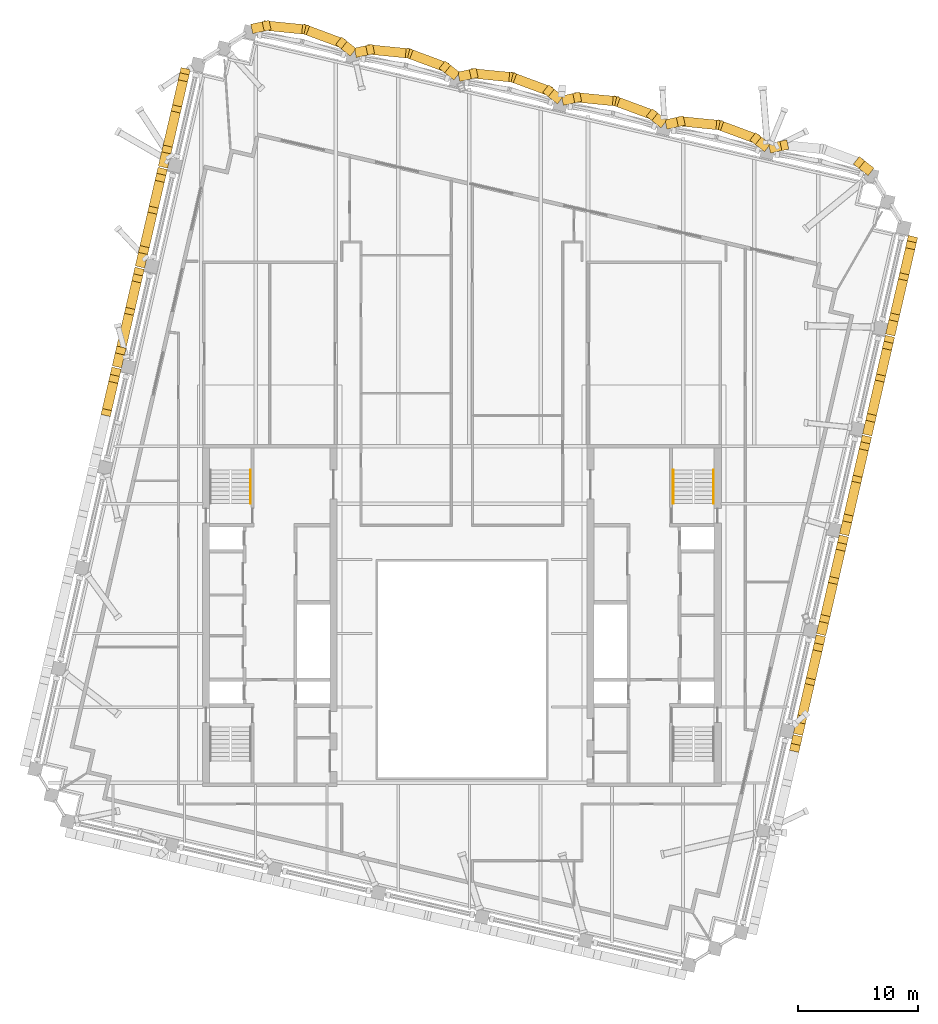
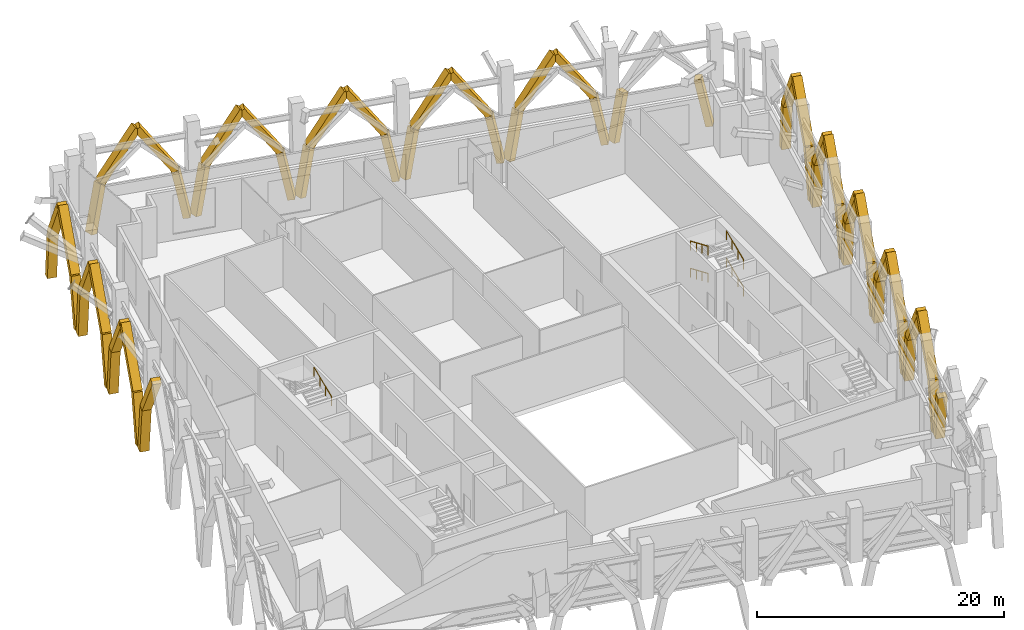
# One storey, part 18 of 19: 57 coverings, 5 railings.
"""IFC4 building model written with IfcOpenShell, lengths in metres."""

from ifc_helpers import new_model, si_unit, direction, frame, origin, origin_2d, place, context, subcontext, project, spatial, rectangle, circle, extrude, material, material_profile, profile_set, type_object, element, save


model = new_model("IFC4")

# Units and contexts
model_context = context("Model", 3, precision=1e-05, world=origin(), true_north=direction((0.0, 1.0)))
body_context = subcontext(model_context, "Body", "Model", "MODEL_VIEW")
ifc_project = project(units=[si_unit("LENGTHUNIT", "METRE"), si_unit("AREAUNIT", "SQUARE_METRE"), si_unit("VOLUMEUNIT", "CUBIC_METRE"), si_unit("PLANEANGLEUNIT", "RADIAN"), si_unit("MASSUNIT", "GRAM", prefix="KILO")], contexts=[model_context])

# Site, building, storey
site_placement = place(None, origin())
site = spatial("IfcSite", under=ifc_project, at=site_placement, CompositionType="ELEMENT")
building_placement = place(site_placement, origin())
building = spatial("IfcBuilding", under=site, at=building_placement, Name="Ogive Exchange Tower", CompositionType="ELEMENT")
storey_placement = place(building_placement, frame((0.0, 0.0, 297.60009765625)))
storey = spatial("IfcBuildingStorey", under=building, at=storey_placement, Name="L65", CompositionType="ELEMENT", Elevation=297.60009765625)

# Coverings
ifc_material_1 = material(Name="Precast concrete C50/60", Category="concrete")
ifc_material_profile = material_profile(ifc_material_1, rectangle(XDim=0.800048828125, YDim=0.60009765625, at=origin_2d()), Name="RIB 800 x 600")
ifc_profile_set = profile_set([ifc_material_profile], Name="Precast concrete C50/60")
covering_type = type_object("IfcCoveringType", Name="Precast tracery rib 800 x 600 C50/60", PredefinedType="CLADDING", material=ifc_profile_set)
covering_1_placement = place(storey_placement, frame((27.902099609375, 1.195068359375, -4.2001953125), z_axis=(-0.036220069626, -0.157271354955, 0.986890990671), x_axis=(0.974490639615, -0.224428147305, 0.0)))
element("IfcCovering", 1, at=covering_1_placement, inside=storey, type_object=covering_type, Name="Tracery rib 10b", PredefinedType="CLADDING", context=body_context, shape_type="SweptSolid", body=[
    extrude(rectangle(XDim=0.800048828125, YDim=0.60009765625, at=origin_2d()), origin(), (0.0, 0.0, 1.0), 4.610595703125),
])
covering_2_placement = place(storey_placement, frame((28.06005859375, 1.876953125, -4.2001953125), z_axis=(0.047260735315, 0.205198664322, 0.977578606076), x_axis=(-0.974487667925, 0.224441050307, 0.0)))
element("IfcCovering", 2, at=covering_2_placement, inside=storey, type_object=covering_type, Name="Tracery rib 11a", PredefinedType="CLADDING", context=body_context, shape_type="SweptSolid", body=[
    extrude(rectangle(XDim=0.800048828125, YDim=0.60009765625, at=origin_2d()), origin(), (0.0, 0.0, 1.0), 4.654296875),
])
covering_3_placement = place(storey_placement, frame((28.280029296875, 2.83203125, 0.349853515625), z_axis=(0.13027307867, 0.564225039855, 0.815278498045), x_axis=(-0.974365725197, 0.224969850336, 0.0)))
element("IfcCovering", 3, at=covering_3_placement, inside=storey, type_object=covering_type, Name="Tracery rib 11a", PredefinedType="CLADDING", context=body_context, shape_type="SweptSolid", body=[
    extrude(rectangle(XDim=0.800048828125, YDim=0.60009765625, at=origin_2d()), origin(), (0.0, 0.0, 1.0), 5.5810546875),
])
covering_4_placement = place(storey_placement, frame((29.822021484375, 9.509033203125, -4.2001953125), z_axis=(-0.033480584487, -0.144958727129, 0.988871082544), x_axis=(0.974349102758, -0.225041831567, 0.0)))
element("IfcCovering", 4, at=covering_4_placement, inside=storey, type_object=covering_type, Name="Tracery rib 11b", PredefinedType="CLADDING", context=body_context, shape_type="SweptSolid", body=[
    extrude(rectangle(XDim=0.800048828125, YDim=0.60009765625, at=origin_2d()), origin(), (0.0, 0.0, 1.0), 4.601318359375),
])
covering_5_placement = place(storey_placement, frame((29.66796875, 8.842041015625, 0.349853515625), z_axis=(-0.122040913242, -0.528333011555, 0.840220354667), x_axis=(0.974343530535, -0.225065955897, 0.0)))
element("IfcCovering", 5, at=covering_5_placement, inside=storey, type_object=covering_type, Name="Tracery rib 11b", PredefinedType="CLADDING", context=body_context, shape_type="SweptSolid", body=[
    extrude(rectangle(XDim=0.800048828125, YDim=0.60009765625, at=origin_2d()), origin(), (0.0, 0.0, 1.0), 5.415283203125),
])
covering_6_placement = place(storey_placement, frame((29.97900390625, 10.19091796875, -4.2001953125), z_axis=(0.050114051302, 0.216829585225, 0.974922311178), x_axis=(-0.974315869684, 0.225185670243, 0.0)))
element("IfcCovering", 6, at=covering_6_placement, inside=storey, type_object=covering_type, Name="Tracery rib 12a", PredefinedType="CLADDING", context=body_context, shape_type="SweptSolid", body=[
    extrude(rectangle(XDim=0.800048828125, YDim=0.60009765625, at=origin_2d()), origin(), (0.0, 0.0, 1.0), 4.6669921875),
])
covering_7_placement = place(storey_placement, frame((30.212890625, 11.202880859375, 0.349853515625), z_axis=(0.131785828146, 0.570970470211, 0.810324143567), x_axis=(-0.974382441131, 0.224897439771, 0.0)))
element("IfcCovering", 7, at=covering_7_placement, inside=storey, type_object=covering_type, Name="Tracery rib 12a", PredefinedType="CLADDING", context=body_context, shape_type="SweptSolid", body=[
    extrude(rectangle(XDim=0.800048828125, YDim=0.60009765625, at=origin_2d()), origin(), (0.0, 0.0, 1.0), 5.614990234375),
])
covering_8_placement = place(storey_placement, frame((31.740966796875, 17.822021484375, -4.2001953125), z_axis=(-0.030671721783, -0.132627289164, 0.990691297858), x_axis=(0.974285786745, -0.225315791163, 0.0)))
element("IfcCovering", 8, at=covering_8_placement, inside=storey, type_object=covering_type, Name="Tracery rib 12b", PredefinedType="CLADDING", context=body_context, shape_type="SweptSolid", body=[
    extrude(rectangle(XDim=0.800048828125, YDim=0.60009765625, at=origin_2d()), origin(), (0.0, 0.0, 1.0), 4.5927734375),
])
covering_9_placement = place(storey_placement, frame((31.60009765625, 17.212890625, 0.349853515625), z_axis=(-0.120218314363, -0.520825100137, 0.84515606367), x_axis=(0.974379755422, -0.224909075457, 0.0)))
element("IfcCovering", 9, at=covering_9_placement, inside=storey, type_object=covering_type, Name="Tracery rib 12b", PredefinedType="CLADDING", context=body_context, shape_type="SweptSolid", body=[
    extrude(rectangle(XDim=0.800048828125, YDim=0.60009765625, at=origin_2d()), origin(), (0.0, 0.0, 1.0), 5.3837890625),
])
covering_10_placement = place(storey_placement, frame((31.89892578125, 18.50390625, -4.2001953125), z_axis=(0.052784808, 0.228612463899, 0.972085441406), x_axis=(-0.974364962014, 0.224973155729, 0.0)))
element("IfcCovering", 10, at=covering_10_placement, inside=storey, type_object=covering_type, Name="Tracery rib 13a", PredefinedType="CLADDING", context=body_context, shape_type="SweptSolid", body=[
    extrude(rectangle(XDim=0.800048828125, YDim=0.60009765625, at=origin_2d()), origin(), (0.0, 0.0, 1.0), 4.6806640625),
])
covering_11_placement = place(storey_placement, frame((32.14599609375, 19.573974609375, 0.349853515625), z_axis=(0.133260857968, 0.577679769834, 0.805312130331), x_axis=(-0.974409618596, 0.224779659193, 0.0)))
element("IfcCovering", 11, at=covering_11_placement, inside=storey, type_object=covering_type, Name="Tracery rib 13a", PredefinedType="CLADDING", context=body_context, shape_type="SweptSolid", body=[
    extrude(rectangle(XDim=0.800048828125, YDim=0.60009765625, at=origin_2d()), origin(), (0.0, 0.0, 1.0), 5.650146484375),
])
covering_12_placement = place(storey_placement, frame((33.659912109375, 26.135986328125, -4.2001953125), z_axis=(-0.027687779151, -0.120388593578, 0.99234065392), x_axis=(0.974558011216, -0.224135411691, 0.0)))
element("IfcCovering", 12, at=covering_12_placement, inside=storey, type_object=covering_type, Name="Tracery rib 13b", PredefinedType="CLADDING", context=body_context, shape_type="SweptSolid", body=[
    extrude(rectangle(XDim=0.800048828125, YDim=0.60009765625, at=origin_2d()), origin(), (0.0, 0.0, 1.0), 4.585205078125),
])
covering_13_placement = place(storey_placement, frame((33.532958984375, 25.583984375, 0.349853515625), z_axis=(-0.118462313546, -0.513078206688, 0.850127892785), x_axis=(0.974366370023, -0.224967057517, 0.0)))
element("IfcCovering", 13, at=covering_13_placement, inside=storey, type_object=covering_type, Name="Tracery rib 13b", PredefinedType="CLADDING", context=body_context, shape_type="SweptSolid", body=[
    extrude(rectangle(XDim=0.800048828125, YDim=0.60009765625, at=origin_2d()), origin(), (0.0, 0.0, 1.0), 5.352294921875),
])
covering_14_placement = place(storey_placement, frame((33.818115234375, 26.818115234375, -4.2001953125), z_axis=(0.05532861491, 0.240242670005, 0.969134770752), x_axis=(-0.974490639615, 0.224428147305, 0.0)))
element("IfcCovering", 14, at=covering_14_placement, inside=storey, type_object=covering_type, Name="Tracery rib 14a", PredefinedType="CLADDING", context=body_context, shape_type="SweptSolid", body=[
    extrude(rectangle(XDim=0.800048828125, YDim=0.60009765625, at=origin_2d()), origin(), (0.0, 0.0, 1.0), 4.695068359375),
])
covering_15_placement = place(storey_placement, frame((34.077880859375, 27.946044921875, 0.349853515625), z_axis=(0.134929149494, 0.584163342001, 0.800341998447), x_axis=(-0.974346509992, 0.225053057002, 0.0)))
element("IfcCovering", 15, at=covering_15_placement, inside=storey, type_object=covering_type, Name="Tracery rib 14a", PredefinedType="CLADDING", context=body_context, shape_type="SweptSolid", body=[
    extrude(rectangle(XDim=0.800048828125, YDim=0.60009765625, at=origin_2d()), origin(), (0.0, 0.0, 1.0), 5.68505859375),
])
covering_16_placement = place(storey_placement, frame((35.580078125, 34.449951171875, -4.2001953125), z_axis=(-0.024903624865, -0.107880156534, 0.993851941335), x_axis=(0.974374957811, -0.224929859267, 0.0)))
element("IfcCovering", 16, at=covering_16_placement, inside=storey, type_object=covering_type, Name="Tracery rib 14b", PredefinedType="CLADDING", context=body_context, shape_type="SweptSolid", body=[
    extrude(rectangle(XDim=0.800048828125, YDim=0.60009765625, at=origin_2d()), origin(), (0.0, 0.0, 1.0), 4.578125),
])
covering_17_placement = place(storey_placement, frame((35.466064453125, 33.9560546875, 0.349853515625), z_axis=(-0.116712241566, -0.50529427225, 0.855018099867), x_axis=(0.974346447246, -0.225053328654, 0.0)))
element("IfcCovering", 17, at=covering_17_placement, inside=storey, type_object=covering_type, Name="Tracery rib 14b", PredefinedType="CLADDING", context=body_context, shape_type="SweptSolid", body=[
    extrude(rectangle(XDim=0.800048828125, YDim=0.60009765625, at=origin_2d()), origin(), (0.0, 0.0, 1.0), 5.321533203125),
])
covering_18_placement = place(storey_placement, frame((35.737060546875, 35.132080078125, -4.2001953125), z_axis=(0.058161401006, 0.251566202392, 0.966090936324), x_axis=(-0.974299757118, 0.225255373477, 0.0)))
element("IfcCovering", 18, at=covering_18_placement, inside=storey, type_object=covering_type, Name="Tracery rib 15a", PredefinedType="CLADDING", context=body_context, shape_type="SweptSolid", body=[
    extrude(rectangle(XDim=0.800048828125, YDim=0.60009765625, at=origin_2d()), origin(), (0.0, 0.0, 1.0), 4.709716796875),
])
covering_19_placement = place(storey_placement, frame((36.010986328125, 36.31689453125, 0.349853515625), z_axis=(0.136344491755, 0.590655433609, 0.795321531405), x_axis=(-0.974376955969, 0.22492120326, 0.0)))
element("IfcCovering", 19, at=covering_19_placement, inside=storey, type_object=covering_type, Name="Tracery rib 15a", PredefinedType="CLADDING", context=body_context, shape_type="SweptSolid", body=[
    extrude(rectangle(XDim=0.800048828125, YDim=0.60009765625, at=origin_2d()), origin(), (0.0, 0.0, 1.0), 5.720947265625),
])
covering_20_placement = place(storey_placement, frame((37.4990234375, 42.763916015625, -4.2001953125), z_axis=(-0.022106716656, -0.095582180711, 0.995176034583), x_axis=(0.974280997593, -0.225336498885, 0.0)))
element("IfcCovering", 20, at=covering_20_placement, inside=storey, type_object=covering_type, Name="Tracery rib 15b", PredefinedType="CLADDING", context=body_context, shape_type="SweptSolid", body=[
    extrude(rectangle(XDim=0.800048828125, YDim=0.60009765625, at=origin_2d()), origin(), (0.0, 0.0, 1.0), 4.572021484375),
])
covering_21_placement = place(storey_placement, frame((37.39794921875, 42.326904296875, 0.349853515625), z_axis=(-0.114714553593, -0.497250213002, 0.859989998118), x_axis=(0.974406433416, -0.224793466358, 0.0)))
element("IfcCovering", 21, at=covering_21_placement, inside=storey, type_object=covering_type, Name="Tracery rib 15b", PredefinedType="CLADDING", context=body_context, shape_type="SweptSolid", body=[
    extrude(rectangle(XDim=0.800048828125, YDim=0.60009765625, at=origin_2d()), origin(), (0.0, 0.0, 1.0), 5.290771484375),
])
for number, where, z_axis, x_axis, name in (
    (22, (33.842041015625, 48.615966796875, -4.2001953125), (-0.16444225219, 0.129182139404, 0.977890955349), (-0.617755060955, -0.786370577186, 0.0), "Tracery rib 18a"),
    (23, (25.90087890625, 50.449951171875, -4.2001953125), (0.204424415603, 0.044075079339, 0.977889587677), (-0.210762654559, 0.977537264478, 0.0), "Tracery rib 18b"),
    (24, (25.218994140625, 50.60693359375, -4.2001953125), (-0.164391199989, 0.129183253869, 0.977899391699), (-0.617876968638, -0.786274793966, 0.0), "Tracery rib 19a"),
):
    element("IfcCovering", number, at=place(storey_placement, frame(where, z_axis=z_axis, x_axis=x_axis)), inside=storey, type_object=covering_type, Name=name, PredefinedType="CLADDING", context=body_context, shape_type="SweptSolid", body=[
        extrude(rectangle(XDim=0.800048828125, YDim=0.60009765625, at=origin_2d()), origin(), (0.0, 0.0, 1.0), 4.65283203125),
    ])
covering_22_placement = place(storey_placement, frame((24.4541015625, 51.2080078125, 0.349853515625), z_axis=(-0.541691164518, 0.201262133559, 0.816127585539), x_axis=(-0.348281659643, -0.937389932502, 0.0)))
element("IfcCovering", 25, at=covering_22_placement, inside=storey, type_object=covering_type, Name="Tracery rib 19a", PredefinedType="CLADDING", context=body_context, shape_type="SweptSolid", body=[
    extrude(rectangle(XDim=0.800048828125, YDim=0.60009765625, at=origin_2d()), origin(), (0.0, 0.0, 1.0), 5.5751953125),
])
covering_23_placement = place(storey_placement, frame((17.278076171875, 52.44091796875, -4.2001953125), z_axis=(0.204374137162, 0.044075552045, 0.977900075555), x_axis=(-0.210814361091, 0.977526114821, 0.0)))
element("IfcCovering", 26, at=covering_23_placement, inside=storey, type_object=covering_type, Name="Tracery rib 19b", PredefinedType="CLADDING", context=body_context, shape_type="SweptSolid", body=[
    extrude(rectangle(XDim=0.800048828125, YDim=0.60009765625, at=origin_2d()), origin(), (0.0, 0.0, 1.0), 4.65283203125),
])
covering_24_placement = place(storey_placement, frame((18.22900390625, 52.64599609375, 0.349853515625), z_axis=(0.574951398583, -0.056671778623, 0.81622251793), x_axis=(0.098092582091, 0.99517729342, 0.0)))
element("IfcCovering", 27, at=covering_24_placement, inside=storey, type_object=covering_type, Name="Tracery rib 19b", PredefinedType="CLADDING", context=body_context, shape_type="SweptSolid", body=[
    extrude(rectangle(XDim=0.800048828125, YDim=0.60009765625, at=origin_2d()), origin(), (0.0, 0.0, 1.0), 5.574462890625),
])
covering_25_placement = place(storey_placement, frame((16.595947265625, 52.597900390625, -4.2001953125), z_axis=(-0.164391199989, 0.129183253869, 0.977899391699), x_axis=(-0.617876968638, -0.786274793966, 0.0)))
element("IfcCovering", 28, at=covering_25_placement, inside=storey, type_object=covering_type, Name="Tracery rib 20a", PredefinedType="CLADDING", context=body_context, shape_type="SweptSolid", body=[
    extrude(rectangle(XDim=0.800048828125, YDim=0.60009765625, at=origin_2d()), origin(), (0.0, 0.0, 1.0), 4.65283203125),
])
covering_26_placement = place(storey_placement, frame((15.8310546875, 53.198974609375, 0.349853515625), z_axis=(-0.541691164518, 0.201262133559, 0.816127585539), x_axis=(-0.348281659643, -0.937389932502, 0.0)))
element("IfcCovering", 29, at=covering_26_placement, inside=storey, type_object=covering_type, Name="Tracery rib 20a", PredefinedType="CLADDING", context=body_context, shape_type="SweptSolid", body=[
    extrude(rectangle(XDim=0.800048828125, YDim=0.60009765625, at=origin_2d()), origin(), (0.0, 0.0, 1.0), 5.5751953125),
])
covering_27_placement = place(storey_placement, frame((8.655029296875, 54.430908203125, -4.2001953125), z_axis=(0.204173007227, 0.044077441807, 0.977942003517), x_axis=(-0.211021435256, 0.977481434024, 0.0)))
element("IfcCovering", 30, at=covering_27_placement, inside=storey, type_object=covering_type, Name="Tracery rib 20b", PredefinedType="CLADDING", context=body_context, shape_type="SweptSolid", body=[
    extrude(rectangle(XDim=0.800048828125, YDim=0.60009765625, at=origin_2d()), origin(), (0.0, 0.0, 1.0), 4.652587890625),
])
covering_28_placement = place(storey_placement, frame((9.60498046875, 54.635986328125, 0.349853515625), z_axis=(0.575074353302, -0.0564914648, 0.81614839495), x_axis=(0.097762760811, 0.995209748042, 0.0)))
element("IfcCovering", 31, at=covering_28_placement, inside=storey, type_object=covering_type, Name="Tracery rib 20b", PredefinedType="CLADDING", context=body_context, shape_type="SweptSolid", body=[
    extrude(rectangle(XDim=0.800048828125, YDim=0.60009765625, at=origin_2d()), origin(), (0.0, 0.0, 1.0), 5.574951171875),
])
covering_29_placement = place(storey_placement, frame((7.972900390625, 54.589111328125, -4.2001953125), z_axis=(-0.164392314076, 0.129131658136, 0.977906018971), x_axis=(-0.617721778656, -0.786396721874, 0.0)))
element("IfcCovering", 32, at=covering_29_placement, inside=storey, type_object=covering_type, Name="Tracery rib 21a", PredefinedType="CLADDING", context=body_context, shape_type="SweptSolid", body=[
    extrude(rectangle(XDim=0.800048828125, YDim=0.60009765625, at=origin_2d()), origin(), (0.0, 0.0, 1.0), 4.65283203125),
])
covering_30_placement = place(storey_placement, frame((7.2080078125, 55.18994140625, 0.349853515625), z_axis=(-0.541691164518, 0.201262133559, 0.816127585539), x_axis=(-0.348281659643, -0.937389932502, 0.0)))
element("IfcCovering", 33, at=covering_30_placement, inside=storey, type_object=covering_type, Name="Tracery rib 21a", PredefinedType="CLADDING", context=body_context, shape_type="SweptSolid", body=[
    extrude(rectangle(XDim=0.800048828125, YDim=0.60009765625, at=origin_2d()), origin(), (0.0, 0.0, 1.0), 5.5751953125),
])
covering_31_placement = place(storey_placement, frame((0.031005859375, 56.422119140625, -4.2001953125), z_axis=(0.204374609535, 0.044023182901, 0.977902335791), x_axis=(-0.210574526347, 0.977577807059, 0.0)))
element("IfcCovering", 34, at=covering_31_placement, inside=storey, type_object=covering_type, Name="Tracery rib 21b", PredefinedType="CLADDING", context=body_context, shape_type="SweptSolid", body=[
    extrude(rectangle(XDim=0.800048828125, YDim=0.60009765625, at=origin_2d()), origin(), (0.0, 0.0, 1.0), 4.65283203125),
])
covering_32_placement = place(storey_placement, frame((0.98193359375, 56.626953125, 0.349853515625), z_axis=(0.575074353302, -0.0564914648, 0.81614839495), x_axis=(0.097762760811, 0.995209748042, 0.0)))
element("IfcCovering", 35, at=covering_32_placement, inside=storey, type_object=covering_type, Name="Tracery rib 21b", PredefinedType="CLADDING", context=body_context, shape_type="SweptSolid", body=[
    extrude(rectangle(XDim=0.800048828125, YDim=0.60009765625, at=origin_2d()), origin(), (0.0, 0.0, 1.0), 5.574951171875),
])
covering_33_placement = place(storey_placement, frame((-0.65087890625, 56.580078125, -4.2001953125), z_axis=(-0.164239148567, 0.129134998283, 0.97793131369), x_axis=(-0.618087722942, -0.786109131576, 0.0)))
element("IfcCovering", 36, at=covering_33_placement, inside=storey, type_object=covering_type, Name="Tracery rib 22a", PredefinedType="CLADDING", context=body_context, shape_type="SweptSolid", body=[
    extrude(rectangle(XDim=0.800048828125, YDim=0.60009765625, at=origin_2d()), origin(), (0.0, 0.0, 1.0), 4.65283203125),
])
covering_34_placement = place(storey_placement, frame((-1.4150390625, 57.180908203125, 0.349853515625), z_axis=(-0.541710253809, 0.201094057032, 0.816156346017), x_axis=(-0.348015268423, -0.937488865504, 0.0)))
element("IfcCovering", 37, at=covering_34_placement, inside=storey, type_object=covering_type, Name="Tracery rib 22a", PredefinedType="CLADDING", context=body_context, shape_type="SweptSolid", body=[
    extrude(rectangle(XDim=0.800048828125, YDim=0.60009765625, at=origin_2d()), origin(), (0.0, 0.0, 1.0), 5.574951171875),
])
covering_35_placement = place(storey_placement, frame((-8.592041015625, 58.4130859375, -4.2001953125), z_axis=(0.204374609535, 0.044023182901, 0.977902335791), x_axis=(-0.210574526347, 0.977577807059, 0.0)))
element("IfcCovering", 38, at=covering_35_placement, inside=storey, type_object=covering_type, Name="Tracery rib 22b", PredefinedType="CLADDING", context=body_context, shape_type="SweptSolid", body=[
    extrude(rectangle(XDim=0.800048828125, YDim=0.60009765625, at=origin_2d()), origin(), (0.0, 0.0, 1.0), 4.65283203125),
])
covering_36_placement = place(storey_placement, frame((-7.64111328125, 58.617919921875, 0.349853515625), z_axis=(0.575068653939, -0.05666607053, 0.816140306386), x_axis=(0.098062990514, 0.995180209757, 0.0)))
element("IfcCovering", 39, at=covering_36_placement, inside=storey, type_object=covering_type, Name="Tracery rib 22b", PredefinedType="CLADDING", context=body_context, shape_type="SweptSolid", body=[
    extrude(rectangle(XDim=0.800048828125, YDim=0.60009765625, at=origin_2d()), origin(), (0.0, 0.0, 1.0), 5.5751953125),
])
covering_37_placement = place(storey_placement, frame((-9.27392578125, 58.570068359375, -4.2001953125), z_axis=(-0.164443366604, 0.129130544101, 0.977897582449), x_axis=(-0.617599863801, -0.786492471822, 0.0)))
element("IfcCovering", 40, at=covering_37_placement, inside=storey, type_object=covering_type, Name="Tracery rib 23a", PredefinedType="CLADDING", context=body_context, shape_type="SweptSolid", body=[
    extrude(rectangle(XDim=0.800048828125, YDim=0.60009765625, at=origin_2d()), origin(), (0.0, 0.0, 1.0), 4.65283203125),
])
covering_38_placement = place(storey_placement, frame((-10.0390625, 59.1708984375, 0.349853515625), z_axis=(-0.541567381956, 0.201281229781, 0.816205021633), x_axis=(-0.348380646232, -0.937353148675, 0.0)))
element("IfcCovering", 41, at=covering_38_placement, inside=storey, type_object=covering_type, Name="Tracery rib 23a", PredefinedType="CLADDING", context=body_context, shape_type="SweptSolid", body=[
    extrude(rectangle(XDim=0.800048828125, YDim=0.60009765625, at=origin_2d()), origin(), (0.0, 0.0, 1.0), 5.57470703125),
])
covering_39_placement = place(storey_placement, frame((-17.215087890625, 60.404052734375, -4.2001953125), z_axis=(0.204424888082, 0.044022710755, 0.977891847839), x_axis=(-0.210522873179, 0.977588931949, 0.0)))
element("IfcCovering", 42, at=covering_39_placement, inside=storey, type_object=covering_type, Name="Tracery rib 23b", PredefinedType="CLADDING", context=body_context, shape_type="SweptSolid", body=[
    extrude(rectangle(XDim=0.800048828125, YDim=0.60009765625, at=origin_2d()), origin(), (0.0, 0.0, 1.0), 4.65283203125),
])
covering_40_placement = place(storey_placement, frame((-16.263916015625, 60.60888671875, 0.349853515625), z_axis=(0.575039343422, -0.056667497554, 0.816160859291), x_axis=(0.098070386742, 0.99517948092, 0.0)))
element("IfcCovering", 43, at=covering_40_placement, inside=storey, type_object=covering_type, Name="Tracery rib 23b", PredefinedType="CLADDING", context=body_context, shape_type="SweptSolid", body=[
    extrude(rectangle(XDim=0.800048828125, YDim=0.60009765625, at=origin_2d()), origin(), (0.0, 0.0, 1.0), 5.574951171875),
])
covering_41_placement = place(storey_placement, frame((-23.068115234375, 56.7470703125, -4.2001953125), z_axis=(-0.021839855451, -0.09558274146, 0.99518187295), x_axis=(0.974875404408, -0.22275086056, 0.0)))
element("IfcCovering", 44, at=covering_41_placement, inside=storey, type_object=covering_type, Name="Tracery rib 26a", PredefinedType="CLADDING", context=body_context, shape_type="SweptSolid", body=[
    extrude(rectangle(XDim=0.800048828125, YDim=0.60009765625, at=origin_2d()), origin(), (0.0, 0.0, 1.0), 4.572021484375),
])
covering_42_placement = place(storey_placement, frame((-23.16796875, 56.31005859375, 0.349853515625), z_axis=(-0.114894059544, -0.497274409522, 0.859952043265), x_axis=(0.974331735896, -0.225117010521, 0.0)))
element("IfcCovering", 45, at=covering_42_placement, inside=storey, type_object=covering_type, Name="Tracery rib 26a", PredefinedType="CLADDING", context=body_context, shape_type="SweptSolid", body=[
    extrude(rectangle(XDim=0.800048828125, YDim=0.60009765625, at=origin_2d()), origin(), (0.0, 0.0, 1.0), 5.291015625),
])
covering_43_placement = place(storey_placement, frame((-24.830078125, 49.114990234375, -4.2001953125), z_axis=(0.05821230349, 0.251613999233, 0.966075423097), x_axis=(-0.974265880377, 0.225401850775, 0.0)))
element("IfcCovering", 46, at=covering_43_placement, inside=storey, type_object=covering_type, Name="Tracery rib 26b", PredefinedType="CLADDING", context=body_context, shape_type="SweptSolid", body=[
    extrude(rectangle(XDim=0.800048828125, YDim=0.60009765625, at=origin_2d()), origin(), (0.0, 0.0, 1.0), 4.709716796875),
])
covering_44_placement = place(storey_placement, frame((-24.555908203125, 50.300048828125, 0.349853515625), z_axis=(0.136347928436, 0.590627646184, 0.795341578175), x_axis=(-0.974373394206, 0.22493663255, 0.0)))
element("IfcCovering", 47, at=covering_44_placement, inside=storey, type_object=covering_type, Name="Tracery rib 26b", PredefinedType="CLADDING", context=body_context, shape_type="SweptSolid", body=[
    extrude(rectangle(XDim=0.800048828125, YDim=0.60009765625, at=origin_2d()), origin(), (0.0, 0.0, 1.0), 5.720947265625),
])
covering_45_placement = place(storey_placement, frame((-24.987060546875, 48.43310546875, -4.2001953125), z_axis=(-0.024903481562, -0.107932862274, 0.993846222435), x_axis=(0.974399308924, -0.224824346476, 0.0)))
element("IfcCovering", 48, at=covering_45_placement, inside=storey, type_object=covering_type, Name="Tracery rib 27a", PredefinedType="CLADDING", context=body_context, shape_type="SweptSolid", body=[
    extrude(rectangle(XDim=0.800048828125, YDim=0.60009765625, at=origin_2d()), origin(), (0.0, 0.0, 1.0), 4.578125),
])
covering_46_placement = place(storey_placement, frame((-25.10107421875, 47.93896484375, 0.349853515625), z_axis=(-0.11666698868, -0.505296977319, 0.855022677164), x_axis=(0.97436584247, -0.224969342419, 0.0)))
element("IfcCovering", 49, at=covering_46_placement, inside=storey, type_object=covering_type, Name="Tracery rib 27a", PredefinedType="CLADDING", context=body_context, shape_type="SweptSolid", body=[
    extrude(rectangle(XDim=0.800048828125, YDim=0.60009765625, at=origin_2d()), origin(), (0.0, 0.0, 1.0), 5.321533203125),
])
covering_47_placement = place(storey_placement, frame((-26.7490234375, 40.801025390625, -4.2001953125), z_axis=(0.055380456077, 0.240241978476, 0.969131981137), x_axis=(-0.974444490447, 0.224628437733, 0.0)))
element("IfcCovering", 50, at=covering_47_placement, inside=storey, type_object=covering_type, Name="Tracery rib 27b", PredefinedType="CLADDING", context=body_context, shape_type="SweptSolid", body=[
    extrude(rectangle(XDim=0.800048828125, YDim=0.60009765625, at=origin_2d()), origin(), (0.0, 0.0, 1.0), 4.695068359375),
])
covering_48_placement = place(storey_placement, frame((-26.489013671875, 41.928955078125, 0.349853515625), z_axis=(0.134929149494, 0.584163342001, 0.800341998447), x_axis=(-0.974346509992, 0.225053057002, 0.0)))
element("IfcCovering", 51, at=covering_48_placement, inside=storey, type_object=covering_type, Name="Tracery rib 27b", PredefinedType="CLADDING", context=body_context, shape_type="SweptSolid", body=[
    extrude(rectangle(XDim=0.800048828125, YDim=0.60009765625, at=origin_2d()), origin(), (0.0, 0.0, 1.0), 5.68505859375),
])
covering_49_placement = place(storey_placement, frame((-26.906005859375, 40.118896484375, -4.2001953125), z_axis=(-0.027900596905, -0.120387880919, 0.992334779608), x_axis=(0.974180178258, -0.22577196524, 0.0)))
element("IfcCovering", 52, at=covering_49_placement, inside=storey, type_object=covering_type, Name="Tracery rib 28a", PredefinedType="CLADDING", context=body_context, shape_type="SweptSolid", body=[
    extrude(rectangle(XDim=0.800048828125, YDim=0.60009765625, at=origin_2d()), origin(), (0.0, 0.0, 1.0), 4.585205078125),
])
covering_50_placement = place(storey_placement, frame((-27.033935546875, 39.56689453125, 0.349853515625), z_axis=(-0.118465086023, -0.513044598578, 0.850147789072), x_axis=(0.974361985324, -0.224986047469, 0.0)))
element("IfcCovering", 53, at=covering_50_placement, inside=storey, type_object=covering_type, Name="Tracery rib 28a", PredefinedType="CLADDING", context=body_context, shape_type="SweptSolid", body=[
    extrude(rectangle(XDim=0.800048828125, YDim=0.60009765625, at=origin_2d()), origin(), (0.0, 0.0, 1.0), 5.35205078125),
])
covering_51_placement = place(storey_placement, frame((-28.66796875, 32.487060546875, -4.2001953125), z_axis=(0.052785437355, 0.228563030129, 0.972097031608), x_axis=(-0.974353706828, 0.225021896693, 0.0)))
element("IfcCovering", 54, at=covering_51_placement, inside=storey, type_object=covering_type, Name="Tracery rib 28b", PredefinedType="CLADDING", context=body_context, shape_type="SweptSolid", body=[
    extrude(rectangle(XDim=0.800048828125, YDim=0.60009765625, at=origin_2d()), origin(), (0.0, 0.0, 1.0), 4.6806640625),
])
covering_52_placement = place(storey_placement, frame((-28.4208984375, 33.556884765625, 0.349853515625), z_axis=(0.133257531541, 0.577708559241, 0.805292028315), x_axis=(-0.974413300822, 0.224763696315, 0.0)))
element("IfcCovering", 55, at=covering_52_placement, inside=storey, type_object=covering_type, Name="Tracery rib 28b", PredefinedType="CLADDING", context=body_context, shape_type="SweptSolid", body=[
    extrude(rectangle(XDim=0.800048828125, YDim=0.60009765625, at=origin_2d()), origin(), (0.0, 0.0, 1.0), 5.650146484375),
])
covering_53_placement = place(storey_placement, frame((-28.825927734375, 31.804931640625, -4.2001953125), z_axis=(-0.030512614026, -0.132575713206, 0.990703114285), x_axis=(0.974522740968, -0.22428871424, 0.0)))
element("IfcCovering", 56, at=covering_53_placement, inside=storey, type_object=covering_type, Name="Tracery rib 29a", PredefinedType="CLADDING", context=body_context, shape_type="SweptSolid", body=[
    extrude(rectangle(XDim=0.800048828125, YDim=0.60009765625, at=origin_2d()), origin(), (0.0, 0.0, 1.0), 4.5927734375),
])
covering_54_placement = place(storey_placement, frame((-28.966064453125, 31.196044921875, 0.349853515625), z_axis=(-0.120352389759, -0.520816577388, 0.84514223359), x_axis=(0.974323951838, -0.225150698144, 0.0)))
element("IfcCovering", 57, at=covering_54_placement, inside=storey, type_object=covering_type, Name="Tracery rib 29a", PredefinedType="CLADDING", context=body_context, shape_type="SweptSolid", body=[
    extrude(rectangle(XDim=0.800048828125, YDim=0.60009765625, at=origin_2d()), origin(), (0.0, 0.0, 1.0), 5.3837890625),
])

# Railings
ifc_material_2 = material(Name="Stainless steel", Category="steel")
railing_type = type_object("IfcRailingType", Name="Stair handrail 900", PredefinedType="HANDRAIL", material=ifc_material_2)
for number, where, name in (
    (58, (-17.60009765625, 20.800048828125, 2.849853515625), "L65 ST2 stair handrail 3"),
    (59, (20.949951171875, 20.800048828125, 0.14990234375), "L65 ST4 stair handrail 1"),
):
    element("IfcRailing", number, at=place(storey_placement, frame(where)), inside=storey, type_object=railing_type, Name=name, PredefinedType="HANDRAIL", context=body_context, shape_type="SweptSolid", body=[
        extrude(circle(Radius=0.02392578125, at=origin_2d()), frame((0.0, 0.0, 0.8759765625), z_axis=(0.0, 0.919549827119, 0.392973428423), x_axis=(-1.0, 0.0, 0.0)), (0.0, 0.0, 1.0), 3.053466796875),
        extrude(circle(Radius=0.02099609375, at=origin_2d()), origin(), (0.0, 0.0, 1.0), 0.851806640625),
        extrude(circle(Radius=0.02099609375, at=origin_2d()), frame((0.0, 0.93603515625, 0.39990234375)), (0.0, 0.0, 1.0), 0.851806640625),
        extrude(circle(Radius=0.02099609375, at=origin_2d()), frame((0.0, 1.871826171875, 0.800048828125)), (0.0, 0.0, 1.0), 0.851806640625),
        extrude(circle(Radius=0.02099609375, at=origin_2d()), frame((0.0, 2.807861328125, 1.199951171875)), (0.0, 0.0, 1.0), 0.851806640625),
    ])
railing_1_placement = place(storey_placement, frame((17.60009765625, 23.60791015625, 1.5)))
element("IfcRailing", 60, at=railing_1_placement, inside=storey, type_object=railing_type, Name="L65 ST4 stair handrail 2", PredefinedType="HANDRAIL", context=body_context, shape_type="SweptSolid", body=[
    extrude(circle(Radius=0.02392578125, at=origin_2d()), frame((0.0, 0.0, 0.8759765625), z_axis=(0.0, -0.919549827119, 0.392973428423), x_axis=(1.0, 0.0, 0.0)), (0.0, 0.0, 1.0), 3.053466796875),
    extrude(circle(Radius=0.02099609375, at=origin_2d()), origin(), (0.0, 0.0, 1.0), 0.851806640625),
    extrude(circle(Radius=0.02099609375, at=origin_2d()), frame((0.0, -0.93603515625, 0.39990234375)), (0.0, 0.0, 1.0), 0.851806640625),
    extrude(circle(Radius=0.02099609375, at=origin_2d()), frame((0.0, -1.871826171875, 0.800048828125)), (0.0, 0.0, 1.0), 0.851806640625),
    extrude(circle(Radius=0.02099609375, at=origin_2d()), frame((0.0, -2.807861328125, 1.199951171875)), (0.0, 0.0, 1.0), 0.851806640625),
])
railing_2_placement = place(storey_placement, frame((20.949951171875, 20.800048828125, 2.849853515625)))
element("IfcRailing", 61, at=railing_2_placement, inside=storey, type_object=railing_type, Name="L65 ST4 stair handrail 3", PredefinedType="HANDRAIL", context=body_context, shape_type="SweptSolid", body=[
    extrude(circle(Radius=0.02392578125, at=origin_2d()), frame((0.0, 0.0, 0.8759765625), z_axis=(0.0, 0.919549827119, 0.392973428423), x_axis=(-1.0, 0.0, 0.0)), (0.0, 0.0, 1.0), 3.053466796875),
    extrude(circle(Radius=0.02099609375, at=origin_2d()), origin(), (0.0, 0.0, 1.0), 0.851806640625),
    extrude(circle(Radius=0.02099609375, at=origin_2d()), frame((0.0, 0.93603515625, 0.39990234375)), (0.0, 0.0, 1.0), 0.851806640625),
    extrude(circle(Radius=0.02099609375, at=origin_2d()), frame((0.0, 1.871826171875, 0.800048828125)), (0.0, 0.0, 1.0), 0.851806640625),
    extrude(circle(Radius=0.02099609375, at=origin_2d()), frame((0.0, 2.807861328125, 1.199951171875)), (0.0, 0.0, 1.0), 0.851806640625),
])
railing_3_placement = place(storey_placement, frame((17.60009765625, 23.60791015625, 4.199951171875)))
element("IfcRailing", 62, at=railing_3_placement, inside=storey, type_object=railing_type, Name="L65 ST4 stair handrail 4", PredefinedType="HANDRAIL", context=body_context, shape_type="SweptSolid", body=[
    extrude(circle(Radius=0.02392578125, at=origin_2d()), frame((0.0, 0.0, 0.8759765625), z_axis=(0.0, -0.919549827119, 0.392973428423), x_axis=(1.0, 0.0, 0.0)), (0.0, 0.0, 1.0), 3.053466796875),
    extrude(circle(Radius=0.02099609375, at=origin_2d()), origin(), (0.0, 0.0, 1.0), 0.851806640625),
    extrude(circle(Radius=0.02099609375, at=origin_2d()), frame((0.0, -0.93603515625, 0.39990234375)), (0.0, 0.0, 1.0), 0.851806640625),
    extrude(circle(Radius=0.02099609375, at=origin_2d()), frame((0.0, -1.871826171875, 0.800048828125)), (0.0, 0.0, 1.0), 0.851806640625),
    extrude(circle(Radius=0.02099609375, at=origin_2d()), frame((0.0, -2.807861328125, 1.199951171875)), (0.0, 0.0, 1.0), 0.851806640625),
])

save(model, "model.ifc")
